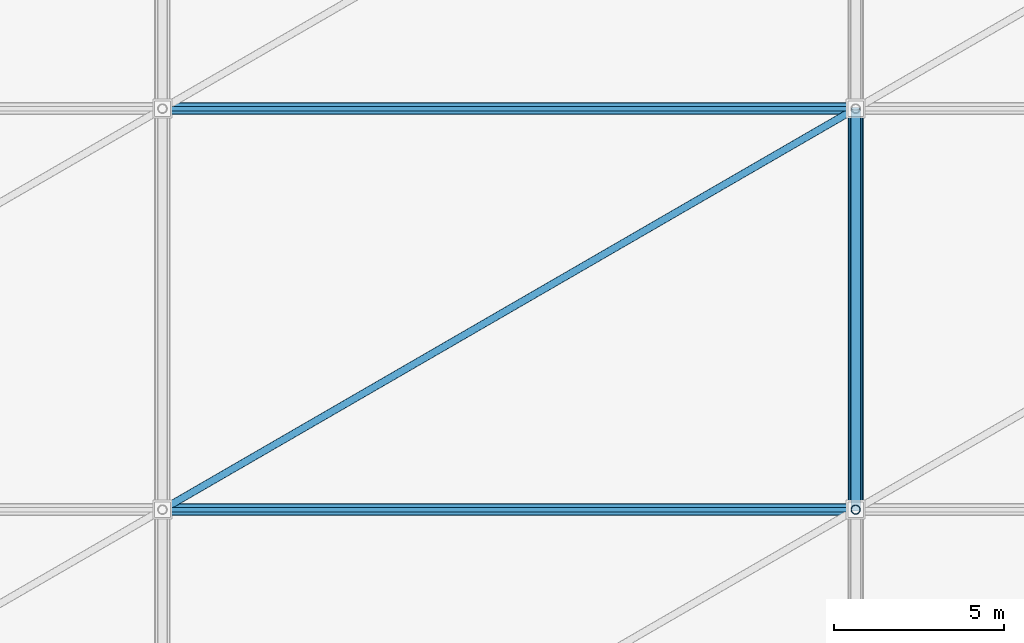
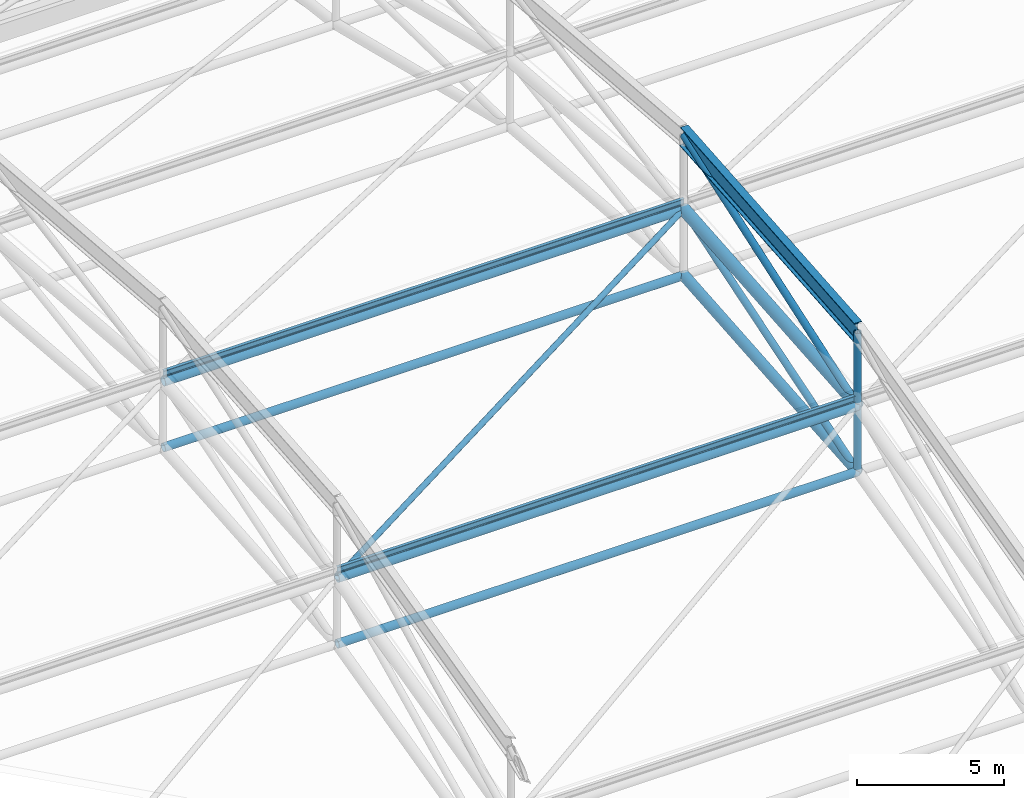
# One storey, part 22 of 135: 13 members, 1 beam.
"""IFC4 building model written with IfcOpenShell, lengths in metres."""

from ifc_helpers import new_model, si_unit, direction, frame, origin, origin_2d, place, context, subcontext, project, spatial, hollow_circle, i_section, extrude, material, material_profile, profile_set, type_object, element, save


model = new_model("IFC4")

# Units and contexts
model_context = context("Model", 3, precision=1e-05, world=origin(), true_north=direction((0.0, 1.0)))
body_context = subcontext(model_context, "Body", "Model", "MODEL_VIEW")
ifc_project = project(units=[si_unit("LENGTHUNIT", "METRE"), si_unit("AREAUNIT", "SQUARE_METRE"), si_unit("VOLUMEUNIT", "CUBIC_METRE"), si_unit("PLANEANGLEUNIT", "RADIAN"), si_unit("MASSUNIT", "GRAM", prefix="KILO")], contexts=[model_context])

# Site, building, storey
site_placement = place(None, origin())
site = spatial("IfcSite", under=ifc_project, at=site_placement, CompositionType="ELEMENT")
building_placement = place(site_placement, origin())
building = spatial("IfcBuilding", under=site, at=building_placement, Name="Brelvane Convention Centre", CompositionType="ELEMENT")
storey_placement = place(building_placement, frame((0.0, 0.0, 15.0)))
storey = spatial("IfcBuildingStorey", under=building, at=storey_placement, Name="L03", CompositionType="ELEMENT", Elevation=15.0)

# Beam
ifc_material_1 = material(Name="Steel E450 (450 MPa)", Category="steel")
ifc_material_profile_1 = material_profile(ifc_material_1, i_section(OverallWidth=0.300048828125, OverallDepth=0.800048828125, WebThickness=0.015380859375, FlangeThickness=0.030029296875, FilletRadius=0.027099609375, at=origin_2d()), Name="NPB 800x300")
ifc_profile_set_1 = profile_set([ifc_material_profile_1], Name="Steel E450 (450 MPa)")
beam_type = type_object("IfcBeamType", Name="Steel Beam B-ST2 (NPB 800x300)", PredefinedType="BEAM", material=ifc_profile_set_1)
beam_placement = place(storey_placement, frame((81.60009765625, 52.39990234375, 13.22216796875), z_axis=(0.0, 0.996584470208, 0.082579620615), x_axis=(-1.0, 0.0, 0.0)))
element("IfcBeam", 1, at=beam_placement, inside=storey, type_object=beam_type, Name="EXO_EXH Exoskeletal Arch Girder 5.3", PredefinedType="BEAM", context=body_context, shape_type="SweptSolid", body=[
    extrude(i_section(OverallWidth=0.300048828125, OverallDepth=0.800048828125, WebThickness=0.015380859375, FlangeThickness=0.030029296875, FilletRadius=0.027099609375, at=origin_2d()), origin(), (0.0, 0.0, 1.0), 11.840576171875),
])

# Members
ifc_material_2 = material(Name="Steel E350 (350 MPa)", Category="steel")
ifc_material_profile_2 = material_profile(ifc_material_2, hollow_circle(Radius=0.136474609375, WallThickness=0.012451171875, at=origin_2d()), Name="CHS 273.0x12.5")
ifc_profile_set_2 = profile_set([ifc_material_profile_2], Name="Steel E350 (350 MPa)")
member_type_1 = type_object("IfcMemberType", Name="Steel Brace SF-DG1 (CHS 273.0x12.5)", PredefinedType="BRACE", material=ifc_profile_set_2)
member_1_placement = place(storey_placement, frame((81.60009765625, 52.39990234375, 7.422119140625), z_axis=(0.0, 0.953781085444, 0.30050231455), x_axis=(-1.0, 0.0, 0.0)))
element("IfcMember", 2, at=member_1_placement, inside=storey, type_object=member_type_1, Name="SF_EXH Space-Frame Web Diagonal D5.3", PredefinedType="BRACE", context=body_context, shape_type="SweptSolid", body=[
    extrude(hollow_circle(Radius=0.136474609375, WallThickness=0.012451171875, at=origin_2d()), origin(), (0.0, 0.0, 1.0), 12.371826171875),
])
member_2_placement = place(storey_placement, frame((81.60009765625, 52.39990234375, 10.162109375), z_axis=(0.0, 0.946139843727, 0.323758237134), x_axis=(-1.0, 0.0, 0.0)))
element("IfcMember", 3, at=member_2_placement, inside=storey, type_object=member_type_1, Name="EXO_EXH Exoskeletal Arch Web 5.3", PredefinedType="BRACE", context=body_context, shape_type="SweptSolid", body=[
    extrude(hollow_circle(Radius=0.136474609375, WallThickness=0.012451171875, at=origin_2d()), origin(), (0.0, 0.0, 1.0), 12.4716796875),
])
ifc_material_3 = material(Name="Steel E350 (350 MPa)", Category="steel")
ifc_material_profile_3 = material_profile(ifc_material_3, hollow_circle(Radius=0.109619140625, WallThickness=0.010009765625, at=origin_2d()), Name="CHS 219.1x10.0")
ifc_profile_set_3 = profile_set([ifc_material_profile_3], Name="Steel E350 (350 MPa)")
member_type_2 = type_object("IfcMemberType", Name="Steel Brace SF-DG2 (CHS 219.1x10.0)", PredefinedType="BRACE", material=ifc_profile_set_3)
member_3_placement = place(storey_placement, frame((61.199951171875, 52.39990234375, 10.162109375), z_axis=(0.864876490486, 0.500270173346, 0.041453707493), x_axis=(-0.500700562715, 0.865620555727, 0.0)))
element("IfcMember", 4, at=member_3_placement, inside=storey, type_object=member_type_2, Name="SF_EXH Roof Diaphragm Brace PB4.3", PredefinedType="BRACE", context=body_context, shape_type="SweptSolid", body=[
    extrude(hollow_circle(Radius=0.109619140625, WallThickness=0.010009765625, at=origin_2d()), origin(), (0.0, 0.0, 1.0), 23.58740234375),
])
ifc_material_4 = material(Name="Steel E450 (450 MPa)", Category="steel")
ifc_material_profile_4 = material_profile(ifc_material_4, hollow_circle(Radius=0.203125, WallThickness=0.01611328125, at=origin_2d()), Name="CHS 406.4x16.0")
ifc_profile_set_4 = profile_set([ifc_material_profile_4], Name="Steel E450 (450 MPa)")
member_type_3 = type_object("IfcMemberType", Name="Steel Chord SF-BC1 (CHS 406.4x16.0)", PredefinedType="CHORD", material=ifc_profile_set_4)
member_4_placement = place(storey_placement, frame((81.60009765625, 52.39990234375, 7.422119140625), z_axis=(0.0, 0.996584470208, 0.082579620615), x_axis=(-1.0, 0.0, 0.0)))
element("IfcMember", 5, at=member_4_placement, inside=storey, type_object=member_type_3, Name="SF_EXH Space-Frame Bottom Chord B5.3", PredefinedType="CHORD", context=body_context, shape_type="SweptSolid", body=[
    extrude(hollow_circle(Radius=0.203125, WallThickness=0.01611328125, at=origin_2d()), origin(), (0.0, 0.0, 1.0), 11.840576171875),
])
ifc_material_5 = material(Name="Steel E350 (350 MPa)", Category="steel")
ifc_material_profile_5 = material_profile(ifc_material_5, hollow_circle(Radius=0.161865234375, WallThickness=0.012451171875, at=origin_2d()), Name="CHS 323.9x12.5")
ifc_profile_set_5 = profile_set([ifc_material_profile_5], Name="Steel E350 (350 MPa)")
member_type_4 = type_object("IfcMemberType", Name="Steel Chord SF-BC2 (CHS 323.9x12.5)", PredefinedType="CHORD", material=ifc_profile_set_5)
for number, where, z_axis, x_axis, name in (
    (6, (61.199951171875, 52.39990234375, 7.422119140625), (1.0, 0.0, 0.0), (0.0, 1.0, 0.0), "SF_EXH Longitudinal Bottom Chord LB4.3"),
    (7, (61.199951171875, 64.199951171875, 8.39990234375), (1.0, 0.0, 0.0), (0.0, 1.0, 0.0), "SF_EXH Longitudinal Bottom Chord LB4.4"),
):
    element("IfcMember", number, at=place(storey_placement, frame(where, z_axis=z_axis, x_axis=x_axis)), inside=storey, type_object=member_type_4, Name=name, PredefinedType="CHORD", context=body_context, shape_type="SweptSolid", body=[
        extrude(hollow_circle(Radius=0.161865234375, WallThickness=0.012451171875, at=origin_2d()), origin(), (0.0, 0.0, 1.0), 20.400146484375),
    ])
ifc_material_6 = material(Name="Steel E450 (450 MPa)", Category="steel")
ifc_material_profile_6 = material_profile(ifc_material_6, hollow_circle(Radius=0.228515625, WallThickness=0.02001953125, at=origin_2d()), Name="CHS 457.0x20.0")
ifc_profile_set_6 = profile_set([ifc_material_profile_6], Name="Steel E450 (450 MPa)")
member_type_5 = type_object("IfcMemberType", Name="Steel Chord SF-TC1 (CHS 457.0x20.0)", PredefinedType="CHORD", material=ifc_profile_set_6)
member_5_placement = place(storey_placement, frame((81.60009765625, 52.39990234375, 10.162109375), z_axis=(0.0, 0.996584470208, 0.082579620615), x_axis=(-1.0, 0.0, 0.0)))
element("IfcMember", 8, at=member_5_placement, inside=storey, type_object=member_type_5, Name="SF_EXH Space-Frame Top Chord T5.3", PredefinedType="CHORD", context=body_context, shape_type="SweptSolid", body=[
    extrude(hollow_circle(Radius=0.228515625, WallThickness=0.02001953125, at=origin_2d()), origin(), (0.0, 0.0, 1.0), 11.840576171875),
])
ifc_material_7 = material(Name="Steel E450 (450 MPa)", Category="steel")
ifc_material_profile_7 = material_profile(ifc_material_7, hollow_circle(Radius=0.177734375, WallThickness=0.01611328125, at=origin_2d()), Name="CHS 355.6x16.0")
ifc_profile_set_7 = profile_set([ifc_material_profile_7], Name="Steel E450 (450 MPa)")
member_type_6 = type_object("IfcMemberType", Name="Steel Chord SF-TC2 (CHS 355.6x16.0)", PredefinedType="CHORD", material=ifc_profile_set_7)
for number, where, z_axis, x_axis, name in (
    (9, (61.199951171875, 52.39990234375, 10.162109375), (1.0, 0.0, 0.0), (0.0, 1.0, 0.0), "SF_EXH Longitudinal Top Chord LT4.3"),
    (10, (61.199951171875, 64.199951171875, 11.139892578125), (1.0, 0.0, 0.0), (0.0, 1.0, 0.0), "SF_EXH Longitudinal Top Chord LT4.4"),
):
    element("IfcMember", number, at=place(storey_placement, frame(where, z_axis=z_axis, x_axis=x_axis)), inside=storey, type_object=member_type_6, Name=name, PredefinedType="CHORD", context=body_context, shape_type="SweptSolid", body=[
        extrude(hollow_circle(Radius=0.177734375, WallThickness=0.01611328125, at=origin_2d()), origin(), (0.0, 0.0, 1.0), 20.400146484375),
    ])
ifc_material_8 = material(Name="Steel E350 (350 MPa)", Category="steel")
ifc_material_profile_8 = material_profile(ifc_material_8, i_section(OverallWidth=0.125, OverallDepth=0.25, WebThickness=0.0068359375, FlangeThickness=0.012451171875, FilletRadius=0.012939453125, at=origin_2d()), Name="ISMB 250")
ifc_profile_set_8 = profile_set([ifc_material_profile_8], Name="Steel E350 (350 MPa)")
member_type_7 = type_object("IfcMemberType", Name="Steel Purlin PR-ST1 (ISMB 250)", PredefinedType="PURLIN", material=ifc_profile_set_8)
for number, where, z_axis, x_axis, name in (
    (11, (61.199951171875, 52.39990234375, 10.497314453125), (1.0, 0.0, 0.0), (0.0, 1.0, 0.0), "SF_EXH Roof Purlin P4.3"),
    (12, (61.199951171875, 64.199951171875, 11.47509765625), (1.0, 0.0, 0.0), (0.0, 1.0, 0.0), "SF_EXH Roof Purlin P4.4"),
):
    element("IfcMember", number, at=place(storey_placement, frame(where, z_axis=z_axis, x_axis=x_axis)), inside=storey, type_object=member_type_7, Name=name, PredefinedType="PURLIN", context=body_context, shape_type="SweptSolid", body=[
        extrude(i_section(OverallWidth=0.125, OverallDepth=0.25, WebThickness=0.0068359375, FlangeThickness=0.012451171875, FilletRadius=0.012939453125, at=origin_2d()), origin(), (0.0, 0.0, 1.0), 20.400146484375),
    ])
ifc_material_9 = material(Name="Steel E350 (350 MPa)", Category="steel")
ifc_material_profile_9 = material_profile(ifc_material_9, hollow_circle(Radius=0.136474609375, WallThickness=0.012451171875, at=origin_2d()), Name="CHS 273.0x12.5")
ifc_profile_set_9 = profile_set([ifc_material_profile_9], Name="Steel E350 (350 MPa)")
member_type_8 = type_object("IfcMemberType", Name="Steel Strut SF-VT1 (CHS 273.0x12.5)", PredefinedType="STRUT", material=ifc_profile_set_9)
member_6_placement = place(storey_placement, frame((81.60009765625, 52.39990234375, 7.422119140625), z_axis=(0.0, 0.0, 1.0), x_axis=(1.0, 0.0, 0.0)))
element("IfcMember", 13, at=member_6_placement, inside=storey, type_object=member_type_8, Name="SF_EXH Space-Frame Post V5.2", PredefinedType="STRUT", context=body_context, shape_type="SweptSolid", body=[
    extrude(hollow_circle(Radius=0.136474609375, WallThickness=0.012451171875, at=origin_2d()), origin(), (0.0, 0.0, 1.0), 2.739990234375),
])
member_7_placement = place(storey_placement, frame((81.60009765625, 52.39990234375, 10.162109375), z_axis=(0.0, 0.0, 1.0), x_axis=(1.0, 0.0, 0.0)))
element("IfcMember", 14, at=member_7_placement, inside=storey, type_object=member_type_8, Name="EXO_EXH Roof Suspension Hanger 5.2", PredefinedType="STRUT", context=body_context, shape_type="SweptSolid", body=[
    extrude(hollow_circle(Radius=0.136474609375, WallThickness=0.012451171875, at=origin_2d()), origin(), (0.0, 0.0, 1.0), 3.06005859375),
])

save(model, "model.ifc")
